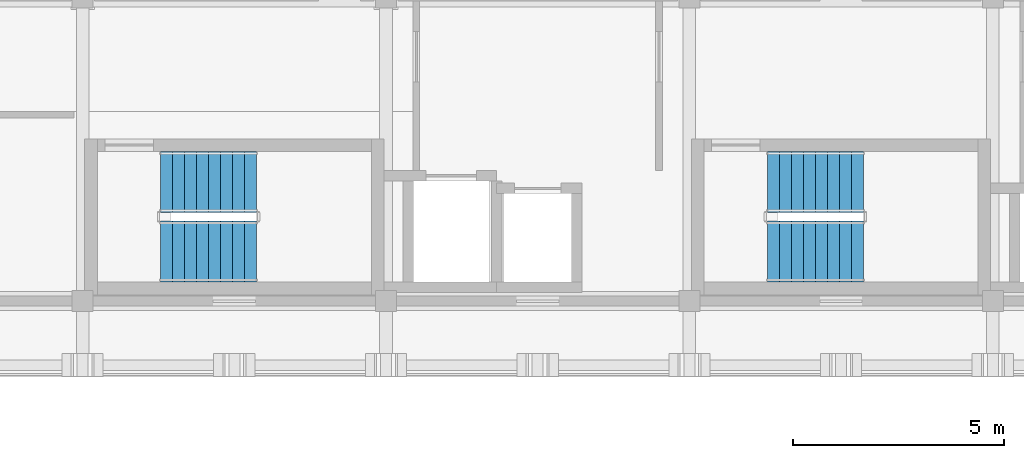
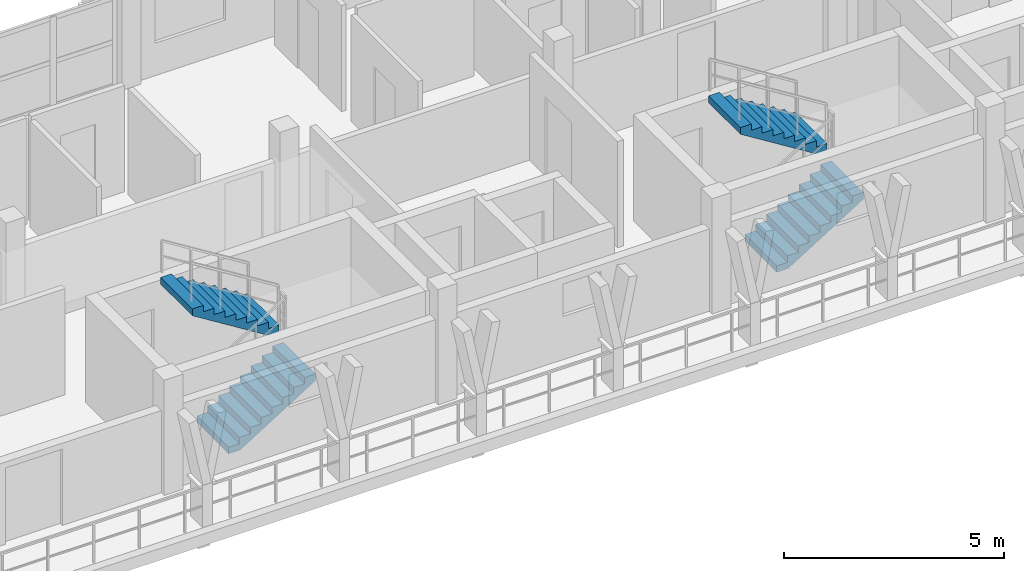
# One storey, part 27 of 32: 4 stair flights, 2 elements without a shape of their own.
"""IFC4 building model written with IfcOpenShell, lengths in metres."""

from ifc_helpers import new_model, si_unit, direction, frame, origin, place, context, subcontext, project, spatial, polyline, outline, extrude, material, type_object, element, aggregate, save


model = new_model("IFC4")

# Units and contexts
model_context = context("Model", 3, precision=1e-05, world=origin(), true_north=direction((0.0, 1.0)))
body_context = subcontext(model_context, "Body", "Model", "MODEL_VIEW")
ifc_project = project(units=[si_unit("LENGTHUNIT", "METRE"), si_unit("AREAUNIT", "SQUARE_METRE"), si_unit("VOLUMEUNIT", "CUBIC_METRE"), si_unit("PLANEANGLEUNIT", "RADIAN"), si_unit("MASSUNIT", "GRAM", prefix="KILO")], contexts=[model_context])

# Site, building, storey
site_placement = place(None, origin())
site = spatial("IfcSite", under=ifc_project, at=site_placement, CompositionType="ELEMENT")
building_placement = place(site_placement, origin())
building = spatial("IfcBuilding", under=site, at=building_placement, Name="Suanplinth Sawtooth Commons", CompositionType="ELEMENT")
storey_placement = place(building_placement, frame((0.0, 0.0, 41.199951171875)))
storey = spatial("IfcBuildingStorey", under=building, at=storey_placement, Name="L12", CompositionType="ELEMENT", Elevation=41.199951171875)

# Stair, stair flights
ifc_material = material(Name="Concrete C40/50", Category="concrete")
stair_type = type_object("IfcStairType", Name="ST-03", PredefinedType="USERDEFINED", material=ifc_material)
stair_1_placement = place(storey_placement, origin())
stair_1 = element("IfcStair", 1, at=stair_1_placement, inside=storey, type_object=stair_type, Name="L12 Exit Stair ST-N1", ObjectType="TWO_RETURN_STAIR", PredefinedType="USERDEFINED")
stair_flight_type = type_object("IfcStairFlightType", Name="SF-04", PredefinedType="STRAIGHT", material=ifc_material)
stair_flight_1_placement = place(storey_placement, frame((45.050048828125, 109.175048828125, 0.0), z_axis=(0.0, 0.0, 1.0), x_axis=(1.0, 0.0, 0.0)))
stair_flight_1 = element("IfcStairFlight", 2, at=stair_flight_1_placement, type_object=stair_flight_type, Name="ST-03 flight 1", NumberOfRisers=9, NumberOfTreads=8, PredefinedType="STRAIGHT", RiserHeight=0.177777778, TreadLength=0.285, context=body_context, shape_type="SweptSolid", body=[
    extrude(outline(polyline([(0.0, 0.0), (0.0, 0.177734375), (0.284912109375, 0.177734375), (0.284912109375, 0.35546875), (0.570068359375, 0.35546875), (0.570068359375, 0.533447265625), (0.85498046875, 0.533447265625), (0.85498046875, 0.711181640625), (1.139892578125, 0.711181640625), (1.139892578125, 0.888916015625), (1.425048828125, 0.888916015625), (1.425048828125, 1.066650390625), (1.7099609375, 1.066650390625), (1.7099609375, 1.244384765625), (1.9951171875, 1.244384765625), (1.9951171875, 1.422119140625), (2.280029296875, 1.422119140625), (2.280029296875, 1.60009765625), (2.280029296875, 1.233642578125), (0.30224609375, 0.0), (0.0, 0.0)])), frame((0.0, 0.72509765625, 0.0), z_axis=(0.0, -1.0, 0.0), x_axis=(1.0, 0.0, 0.0)), (0.0, 0.0, 1.0), 1.449951171875),
])
stair_flight_2_placement = place(storey_placement, frame((47.330078125, 110.824951171875, 1.60009765625), z_axis=(0.0, 0.0, 1.0), x_axis=(-1.0, 0.0, 0.0)))
stair_flight_2 = element("IfcStairFlight", 3, at=stair_flight_2_placement, type_object=stair_flight_type, Name="ST-03 flight 2", NumberOfRisers=9, NumberOfTreads=8, PredefinedType="STRAIGHT", RiserHeight=0.177777778, TreadLength=0.285, context=body_context, shape_type="SweptSolid", body=[
    extrude(outline(polyline([(0.0, 0.0), (0.0, 0.177734375), (0.284912109375, 0.177734375), (0.284912109375, 0.35546875), (0.570068359375, 0.35546875), (0.570068359375, 0.533447265625), (0.85498046875, 0.533447265625), (0.85498046875, 0.711181640625), (1.139892578125, 0.711181640625), (1.139892578125, 0.888916015625), (1.425048828125, 0.888916015625), (1.425048828125, 1.066650390625), (1.7099609375, 1.066650390625), (1.7099609375, 1.244384765625), (1.9951171875, 1.244384765625), (1.9951171875, 1.422119140625), (2.280029296875, 1.422119140625), (2.280029296875, 1.60009765625), (2.280029296875, 1.233642578125), (0.30224609375, 0.0), (0.0, 0.0)])), frame((0.0, 0.72509765625, 0.0), z_axis=(0.0, -1.0, 0.0), x_axis=(1.0, 0.0, 0.0)), (0.0, 0.0, 1.0), 1.449951171875),
])
aggregate(stair_1, [stair_flight_1, stair_flight_2])

stair_2_placement = place(storey_placement, origin())
stair_2 = element("IfcStair", 4, at=stair_2_placement, inside=storey, type_object=stair_type, Name="L12 Exit Stair ST-N2", ObjectType="TWO_RETURN_STAIR", PredefinedType="USERDEFINED")
stair_flight_3_placement = place(storey_placement, frame((59.449951171875, 109.175048828125, 0.0), z_axis=(0.0, 0.0, 1.0), x_axis=(1.0, 0.0, 0.0)))
stair_flight_3 = element("IfcStairFlight", 5, at=stair_flight_3_placement, type_object=stair_flight_type, Name="ST-03 flight 1", NumberOfRisers=9, NumberOfTreads=8, PredefinedType="STRAIGHT", RiserHeight=0.177777778, TreadLength=0.285, context=body_context, shape_type="SweptSolid", body=[
    extrude(outline(polyline([(0.0, 0.0), (0.0, 0.177734375), (0.284912109375, 0.177734375), (0.284912109375, 0.35546875), (0.570068359375, 0.35546875), (0.570068359375, 0.533447265625), (0.85498046875, 0.533447265625), (0.85498046875, 0.711181640625), (1.139892578125, 0.711181640625), (1.139892578125, 0.888916015625), (1.425048828125, 0.888916015625), (1.425048828125, 1.066650390625), (1.7099609375, 1.066650390625), (1.7099609375, 1.244384765625), (1.9951171875, 1.244384765625), (1.9951171875, 1.422119140625), (2.280029296875, 1.422119140625), (2.280029296875, 1.60009765625), (2.280029296875, 1.233642578125), (0.30224609375, 0.0), (0.0, 0.0)])), frame((0.0, 0.72509765625, 0.0), z_axis=(0.0, -1.0, 0.0), x_axis=(1.0, 0.0, 0.0)), (0.0, 0.0, 1.0), 1.449951171875),
])
stair_flight_4_placement = place(storey_placement, frame((61.72998046875, 110.824951171875, 1.60009765625), z_axis=(0.0, 0.0, 1.0), x_axis=(-1.0, 0.0, 0.0)))
stair_flight_4 = element("IfcStairFlight", 6, at=stair_flight_4_placement, type_object=stair_flight_type, Name="ST-03 flight 2", NumberOfRisers=9, NumberOfTreads=8, PredefinedType="STRAIGHT", RiserHeight=0.177777778, TreadLength=0.285, context=body_context, shape_type="SweptSolid", body=[
    extrude(outline(polyline([(0.0, 0.0), (0.0, 0.177734375), (0.284912109375, 0.177734375), (0.284912109375, 0.35546875), (0.570068359375, 0.35546875), (0.570068359375, 0.533447265625), (0.85498046875, 0.533447265625), (0.85498046875, 0.711181640625), (1.139892578125, 0.711181640625), (1.139892578125, 0.888916015625), (1.425048828125, 0.888916015625), (1.425048828125, 1.066650390625), (1.7099609375, 1.066650390625), (1.7099609375, 1.244384765625), (1.9951171875, 1.244384765625), (1.9951171875, 1.422119140625), (2.280029296875, 1.422119140625), (2.280029296875, 1.60009765625), (2.280029296875, 1.233642578125), (0.30224609375, 0.0), (0.0, 0.0)])), frame((0.0, 0.72509765625, 0.0), z_axis=(0.0, -1.0, 0.0), x_axis=(1.0, 0.0, 0.0)), (0.0, 0.0, 1.0), 1.449951171875),
])
aggregate(stair_2, [stair_flight_3, stair_flight_4])

save(model, "model.ifc")
